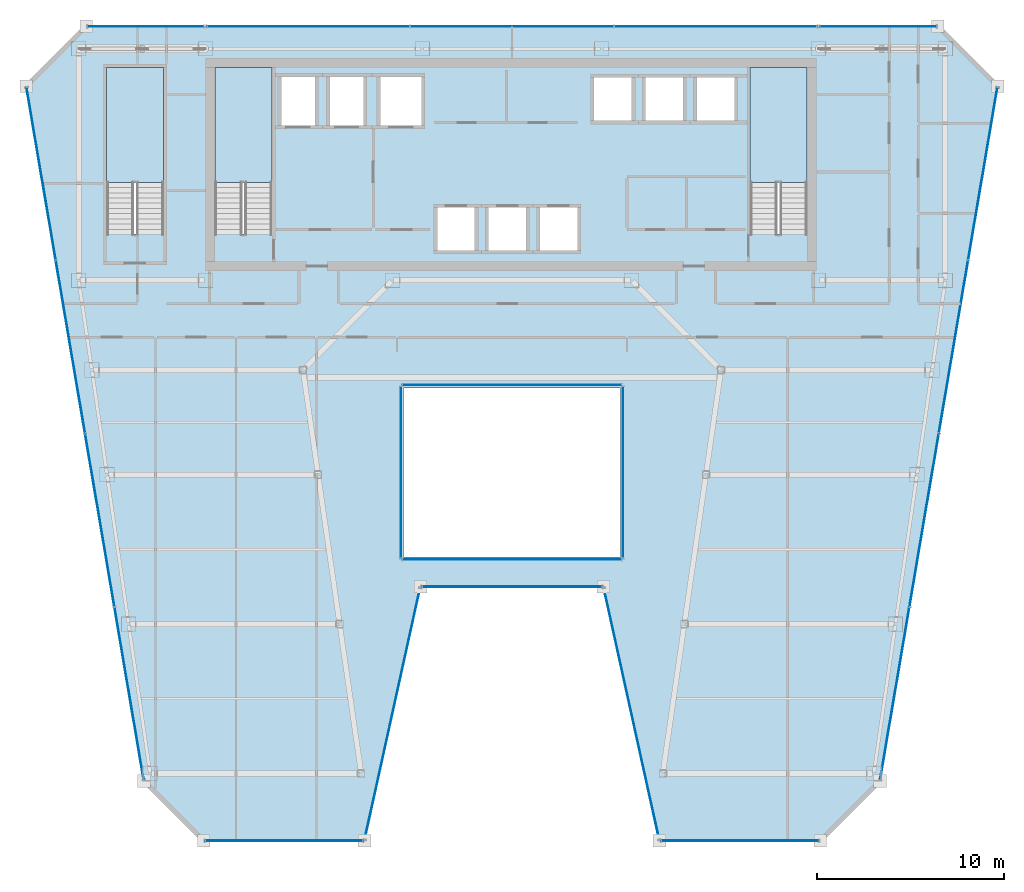
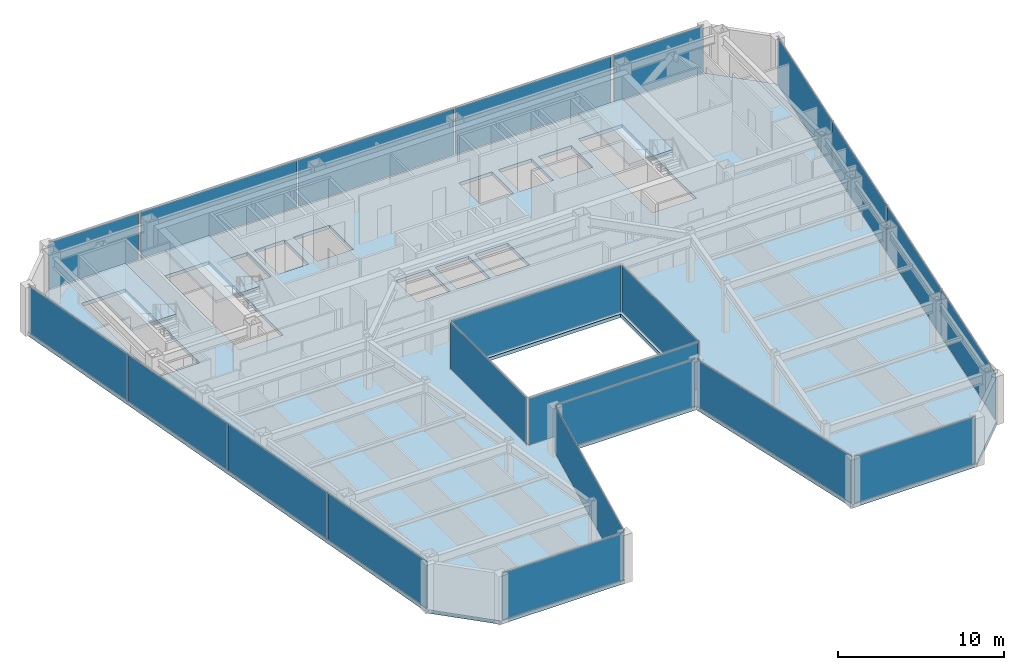
# One storey, part 28 of 35: 22 plates, 4 slabs, 17 elements without a shape of their own.
"""IFC4 building model written with IfcOpenShell, lengths in metres."""

from ifc_helpers import new_model, si_unit, direction, frame, origin, origin_2d, place, context, subcontext, project, spatial, polyline, rectangle, outline, extrude, material, layer, layer_set, type_object, element, aggregate, save


model = new_model("IFC4")

# Units and contexts
model_context = context("Model", 3, precision=1e-05, world=origin(), true_north=direction((0.0, 1.0)))
body_context = subcontext(model_context, "Body", "Model", "MODEL_VIEW")
ifc_project = project(units=[si_unit("LENGTHUNIT", "METRE"), si_unit("AREAUNIT", "SQUARE_METRE"), si_unit("VOLUMEUNIT", "CUBIC_METRE"), si_unit("PLANEANGLEUNIT", "RADIAN"), si_unit("MASSUNIT", "GRAM", prefix="KILO")], contexts=[model_context])

# Site, building, storey
site_placement = place(None, origin())
site = spatial("IfcSite", under=ifc_project, at=site_placement, CompositionType="ELEMENT")
building_placement = place(site_placement, origin())
building = spatial("IfcBuilding", under=site, at=building_placement, Name="Saevonmaru Cultural Tower", CompositionType="ELEMENT")
storey_placement = place(building_placement, frame((0.0, 0.0, 194.199951171875)))
storey = spatial("IfcBuildingStorey", under=building, at=storey_placement, Name="L44", CompositionType="ELEMENT", Elevation=194.199951171875)

# Curtain wall, plate
ifc_material_1 = material(Name="Satin Bronze Anodised Aluminium", Category="aluminium")
curtain_wall_type_1 = type_object("IfcCurtainWallType", Name="CW-ATR-GLZ", PredefinedType="NOTDEFINED", material=ifc_material_1)
curtain_wall_1_placement = place(storey_placement, origin())
curtain_wall_1 = element("IfcCurtainWall", 1, at=curtain_wall_1_placement, inside=storey, type_object=curtain_wall_type_1, Name="L44 Vertical Atrium Glazed Smoke Screen 1", PredefinedType="NOTDEFINED")
ifc_material_2 = material(Name="Fire-Rated Laminated Atrium Glass", Category="glass")
ifc_layer_1 = layer(ifc_material_2, 0.031982421875, Name="Fire-Rated Laminated Atrium Glass")
ifc_layer_set_1 = layer_set([ifc_layer_1], Name="Fire-Rated Laminated Atrium Glass")
plate_type_1 = type_object("IfcPlateType", Name="PN-GLZ-ATR-INT", PredefinedType="CURTAIN_PANEL", material=ifc_layer_set_1)
plate_1_placement = place(storey_placement, frame((30.0, 27.449951171875, 0.067138671875), z_axis=(0.0, 0.0, 1.0), x_axis=(1.0, 0.0, 0.0)))
plate_1 = element("IfcPlate", 2, at=plate_1_placement, type_object=plate_type_1, Name="CW-ATR-L44-1 panel 1.1", PredefinedType="CURTAIN_PANEL", context=body_context, shape_type="SweptSolid", body=[
    extrude(rectangle(XDim=11.7109375, YDim=0.031982421875, at=origin_2d()), origin(), (0.0, 0.0, 1.0), 3.416015625),
])
aggregate(curtain_wall_1, [plate_1])

curtain_wall_2_placement = place(storey_placement, origin())
curtain_wall_2 = element("IfcCurtainWall", 3, at=curtain_wall_2_placement, inside=storey, type_object=curtain_wall_type_1, Name="L44 Vertical Atrium Glazed Smoke Screen 2", PredefinedType="NOTDEFINED")
plate_2_placement = place(storey_placement, frame((35.949951171875, 32.1201171875, 0.067138671875), z_axis=(0.0, 0.0, 1.0), x_axis=(0.0, 1.0, 0.0)))
plate_2 = element("IfcPlate", 4, at=plate_2_placement, type_object=plate_type_1, Name="CW-ATR-L44-2 panel 1.1", PredefinedType="CURTAIN_PANEL", context=body_context, shape_type="SweptSolid", body=[
    extrude(rectangle(XDim=9.15087890625, YDim=0.031982421875, at=origin_2d()), origin(), (0.0, 0.0, 1.0), 3.416015625),
])
aggregate(curtain_wall_2, [plate_2])

curtain_wall_3_placement = place(storey_placement, origin())
curtain_wall_3 = element("IfcCurtainWall", 5, at=curtain_wall_3_placement, inside=storey, type_object=curtain_wall_type_1, Name="L44 Vertical Atrium Glazed Smoke Screen 3", PredefinedType="NOTDEFINED")
plate_3_placement = place(storey_placement, frame((30.0, 36.7900390625, 0.067138671875), z_axis=(0.0, 0.0, 1.0), x_axis=(-1.0, 0.0, 0.0)))
plate_3 = element("IfcPlate", 6, at=plate_3_placement, type_object=plate_type_1, Name="CW-ATR-L44-3 panel 1.1", PredefinedType="CURTAIN_PANEL", context=body_context, shape_type="SweptSolid", body=[
    extrude(rectangle(XDim=11.7109375, YDim=0.031982421875, at=origin_2d()), origin(), (0.0, 0.0, 1.0), 3.416015625),
])
aggregate(curtain_wall_3, [plate_3])

curtain_wall_4_placement = place(storey_placement, origin())
curtain_wall_4 = element("IfcCurtainWall", 7, at=curtain_wall_4_placement, inside=storey, type_object=curtain_wall_type_1, Name="L44 Vertical Atrium Glazed Smoke Screen 4", PredefinedType="NOTDEFINED")
plate_4_placement = place(storey_placement, frame((24.050048828125, 32.1201171875, 0.067138671875), z_axis=(0.0, 0.0, 1.0), x_axis=(0.0, -1.0, 0.0)))
plate_4 = element("IfcPlate", 8, at=plate_4_placement, type_object=plate_type_1, Name="CW-ATR-L44-4 panel 1.1", PredefinedType="CURTAIN_PANEL", context=body_context, shape_type="SweptSolid", body=[
    extrude(rectangle(XDim=9.15087890625, YDim=0.031982421875, at=origin_2d()), origin(), (0.0, 0.0, 1.0), 3.416015625),
])
aggregate(curtain_wall_4, [plate_4])

curtain_wall_type_2 = type_object("IfcCurtainWallType", Name="CW-TYP-B", PredefinedType="NOTDEFINED", material=ifc_material_1)
curtain_wall_5_placement = place(storey_placement, origin())
curtain_wall_5 = element("IfcCurtainWall", 9, at=curtain_wall_5_placement, inside=storey, type_object=curtain_wall_type_2, Name="L44 Unitised Curtain Wall E2", PredefinedType="NOTDEFINED")
ifc_material_3 = material(Name="Triple Silver Low-E Insulating Glass", Category="glass")
ifc_layer_2 = layer(ifc_material_3, 0.035888671875, Name="Triple Silver Low-E Insulating Glass")
ifc_layer_set_2 = layer_set([ifc_layer_2], Name="Triple Silver Low-E Insulating Glass")
plate_type_2 = type_object("IfcPlateType", Name="PN-GLZ-IGU", PredefinedType="CURTAIN_PANEL", material=ifc_layer_set_2)
plate_5_placement = place(storey_placement, frame((17.7978515625, 12.39990234375, 0.067138671875), z_axis=(0.0, 0.0, 1.0), x_axis=(1.0, 0.0, 0.0)))
plate_5 = element("IfcPlate", 10, at=plate_5_placement, type_object=plate_type_2, Name="CW-TW-L44-E2 panel 1.1", PredefinedType="CURTAIN_PANEL", context=body_context, shape_type="SweptSolid", body=[
    extrude(rectangle(XDim=8.410888671875, YDim=0.035888671875, at=origin_2d()), origin(), (0.0, 0.0, 1.0), 3.416015625),
])
aggregate(curtain_wall_5, [plate_5])

curtain_wall_6_placement = place(storey_placement, origin())
curtain_wall_6 = element("IfcCurtainWall", 11, at=curtain_wall_6_placement, inside=storey, type_object=curtain_wall_type_2, Name="L44 Unitised Curtain Wall E3", PredefinedType="NOTDEFINED")
plate_6_placement = place(storey_placement, frame((23.597900390625, 19.199951171875, 0.067138671875), z_axis=(0.0, 0.0, 1.0), x_axis=(0.215413319953, 0.976522965212, 0.0)))
plate_6 = element("IfcPlate", 12, at=plate_6_placement, type_object=plate_type_2, Name="CW-TW-L44-E3 panel 1.1", PredefinedType="CURTAIN_PANEL", context=body_context, shape_type="SweptSolid", body=[
    extrude(rectangle(XDim=13.738037109375, YDim=0.035888671875, at=origin_2d()), origin(), (0.0, 0.0, 1.0), 3.416015625),
])
aggregate(curtain_wall_6, [plate_6])

curtain_wall_7_placement = place(storey_placement, origin())
curtain_wall_7 = element("IfcCurtainWall", 13, at=curtain_wall_7_placement, inside=storey, type_object=curtain_wall_type_2, Name="L44 Unitised Curtain Wall E4", PredefinedType="NOTDEFINED")
plate_7_placement = place(storey_placement, frame((30.0, 26.0, 0.067138671875), z_axis=(0.0, 0.0, 1.0), x_axis=(1.0, 0.0, 0.0)))
plate_7 = element("IfcPlate", 14, at=plate_7_placement, type_object=plate_type_2, Name="CW-TW-L44-E4 panel 1.1", PredefinedType="CURTAIN_PANEL", context=body_context, shape_type="SweptSolid", body=[
    extrude(rectangle(XDim=9.615478515625, YDim=0.035888671875, at=origin_2d()), origin(), (0.0, 0.0, 1.0), 3.416015625),
])
aggregate(curtain_wall_7, [plate_7])

curtain_wall_8_placement = place(storey_placement, origin())
curtain_wall_8 = element("IfcCurtainWall", 15, at=curtain_wall_8_placement, inside=storey, type_object=curtain_wall_type_2, Name="L44 Unitised Curtain Wall E5", PredefinedType="NOTDEFINED")
plate_8_placement = place(storey_placement, frame((36.402099609375, 19.199951171875, 0.067138671875), z_axis=(0.0, 0.0, 1.0), x_axis=(0.215413319953, -0.976522965212, 0.0)))
plate_8 = element("IfcPlate", 16, at=plate_8_placement, type_object=plate_type_2, Name="CW-TW-L44-E5 panel 1.1", PredefinedType="CURTAIN_PANEL", context=body_context, shape_type="SweptSolid", body=[
    extrude(rectangle(XDim=13.738037109375, YDim=0.035888671875, at=origin_2d()), origin(), (0.0, 0.0, 1.0), 3.416015625),
])
aggregate(curtain_wall_8, [plate_8])

curtain_wall_9_placement = place(storey_placement, origin())
curtain_wall_9 = element("IfcCurtainWall", 17, at=curtain_wall_9_placement, inside=storey, type_object=curtain_wall_type_2, Name="L44 Unitised Curtain Wall E6", PredefinedType="NOTDEFINED")
plate_9_placement = place(storey_placement, frame((42.2021484375, 12.39990234375, 0.067138671875), z_axis=(0.0, 0.0, 1.0), x_axis=(1.0, 0.0, 0.0)))
plate_9 = element("IfcPlate", 18, at=plate_9_placement, type_object=plate_type_2, Name="CW-TW-L44-E6 panel 1.1", PredefinedType="CURTAIN_PANEL", context=body_context, shape_type="SweptSolid", body=[
    extrude(rectangle(XDim=8.410888671875, YDim=0.035888671875, at=origin_2d()), origin(), (0.0, 0.0, 1.0), 3.416015625),
])
aggregate(curtain_wall_9, [plate_9])

# Curtain wall, plates
curtain_wall_10_placement = place(storey_placement, origin())
curtain_wall_10 = element("IfcCurtainWall", 19, at=curtain_wall_10_placement, inside=storey, type_object=curtain_wall_type_2, Name="L44 Unitised Curtain Wall E8", PredefinedType="NOTDEFINED")
plate_10_placement = place(storey_placement, frame((50.496826171875, 20.29443359375, 0.067138671875), z_axis=(0.0, 0.0, 1.0), x_axis=(0.16692169721, 0.985970155228, 0.0)))
plate_10 = element("IfcPlate", 20, at=plate_10_placement, type_object=plate_type_2, Name="CW-TW-L44-E8 panel 1.1", PredefinedType="CURTAIN_PANEL", context=body_context, shape_type="SweptSolid", body=[
    extrude(rectangle(XDim=9.333251953125, YDim=0.035888671875, at=origin_2d()), origin(), (0.0, 0.0, 1.0), 3.416015625),
])
plate_11_placement = place(storey_placement, frame((52.06640625, 29.564697265625, 0.067138671875), z_axis=(0.0, 0.0, 1.0), x_axis=(0.16692169721, 0.985970155228, 0.0)))
plate_11 = element("IfcPlate", 21, at=plate_11_placement, type_object=plate_type_2, Name="CW-TW-L44-E8 panel 2.1", PredefinedType="CURTAIN_PANEL", context=body_context, shape_type="SweptSolid", body=[
    extrude(rectangle(XDim=9.333251953125, YDim=0.035888671875, at=origin_2d()), origin(), (0.0, 0.0, 1.0), 3.416015625),
])
plate_12_placement = place(storey_placement, frame((53.6357421875, 38.835205078125, 0.067138671875), z_axis=(0.0, 0.0, 1.0), x_axis=(0.16692169721, 0.985970155228, 0.0)))
plate_12 = element("IfcPlate", 22, at=plate_12_placement, type_object=plate_type_2, Name="CW-TW-L44-E8 panel 3.1", PredefinedType="CURTAIN_PANEL", context=body_context, shape_type="SweptSolid", body=[
    extrude(rectangle(XDim=9.333251953125, YDim=0.035888671875, at=origin_2d()), origin(), (0.0, 0.0, 1.0), 3.416015625),
])
plate_13_placement = place(storey_placement, frame((55.205322265625, 48.105712890625, 0.067138671875), z_axis=(0.0, 0.0, 1.0), x_axis=(0.16692169721, 0.985970155228, 0.0)))
plate_13 = element("IfcPlate", 23, at=plate_13_placement, type_object=plate_type_2, Name="CW-TW-L44-E8 panel 4.1", PredefinedType="CURTAIN_PANEL", context=body_context, shape_type="SweptSolid", body=[
    extrude(rectangle(XDim=9.333251953125, YDim=0.035888671875, at=origin_2d()), origin(), (0.0, 0.0, 1.0), 3.416015625),
])
aggregate(curtain_wall_10, [plate_10, plate_11, plate_12, plate_13])

curtain_wall_11_placement = place(storey_placement, origin())
curtain_wall_11 = element("IfcCurtainWall", 24, at=curtain_wall_11_placement, inside=storey, type_object=curtain_wall_type_2, Name="L44 North Spine Unitised Curtain Wall E10B", PredefinedType="NOTDEFINED")
plate_14_placement = place(storey_placement, frame((40.893310546875, 56.0, 0.067138671875), z_axis=(0.0, 0.0, 1.0), x_axis=(-1.0, 0.0, 0.0)))
plate_14 = element("IfcPlate", 25, at=plate_14_placement, type_object=plate_type_2, Name="CW-TW-L44-E10B panel 1.1", PredefinedType="CURTAIN_PANEL", context=body_context, shape_type="SweptSolid", body=[
    extrude(rectangle(XDim=10.82421875, YDim=0.035888671875, at=origin_2d()), origin(), (0.0, 0.0, 1.0), 3.416015625),
])
plate_15_placement = place(storey_placement, frame((30.0, 56.0, 0.067138671875), z_axis=(0.0, 0.0, 1.0), x_axis=(-1.0, 0.0, 0.0)))
plate_15 = element("IfcPlate", 26, at=plate_15_placement, type_object=plate_type_2, Name="CW-TW-L44-E10B panel 2.1", PredefinedType="CURTAIN_PANEL", context=body_context, shape_type="SweptSolid", body=[
    extrude(rectangle(XDim=10.82421875, YDim=0.035888671875, at=origin_2d()), origin(), (0.0, 0.0, 1.0), 3.416015625),
])
plate_16_placement = place(storey_placement, frame((19.106689453125, 56.0, 0.067138671875), z_axis=(0.0, 0.0, 1.0), x_axis=(-1.0, 0.0, 0.0)))
plate_16 = element("IfcPlate", 27, at=plate_16_placement, type_object=plate_type_2, Name="CW-TW-L44-E10B panel 3.1", PredefinedType="CURTAIN_PANEL", context=body_context, shape_type="SweptSolid", body=[
    extrude(rectangle(XDim=10.82421875, YDim=0.035888671875, at=origin_2d()), origin(), (0.0, 0.0, 1.0), 3.416015625),
])
aggregate(curtain_wall_11, [plate_14, plate_15, plate_16])

curtain_wall_12_placement = place(storey_placement, origin())
curtain_wall_12 = element("IfcCurtainWall", 28, at=curtain_wall_12_placement, inside=storey, type_object=curtain_wall_type_2, Name="L44 Unitised Curtain Wall E12", PredefinedType="NOTDEFINED")
plate_17_placement = place(storey_placement, frame((4.794677734375, 48.105712890625, 0.067138671875), z_axis=(0.0, 0.0, 1.0), x_axis=(0.16692169721, -0.985970155228, 0.0)))
plate_17 = element("IfcPlate", 29, at=plate_17_placement, type_object=plate_type_2, Name="CW-TW-L44-E12 panel 1.1", PredefinedType="CURTAIN_PANEL", context=body_context, shape_type="SweptSolid", body=[
    extrude(rectangle(XDim=9.333251953125, YDim=0.035888671875, at=origin_2d()), origin(), (0.0, 0.0, 1.0), 3.416015625),
])
plate_18_placement = place(storey_placement, frame((6.3642578125, 38.835205078125, 0.067138671875), z_axis=(0.0, 0.0, 1.0), x_axis=(0.16692169721, -0.985970155228, 0.0)))
plate_18 = element("IfcPlate", 30, at=plate_18_placement, type_object=plate_type_2, Name="CW-TW-L44-E12 panel 2.1", PredefinedType="CURTAIN_PANEL", context=body_context, shape_type="SweptSolid", body=[
    extrude(rectangle(XDim=9.333251953125, YDim=0.035888671875, at=origin_2d()), origin(), (0.0, 0.0, 1.0), 3.416015625),
])
plate_19_placement = place(storey_placement, frame((7.93359375, 29.564697265625, 0.067138671875), z_axis=(0.0, 0.0, 1.0), x_axis=(0.16692169721, -0.985970155228, 0.0)))
plate_19 = element("IfcPlate", 31, at=plate_19_placement, type_object=plate_type_2, Name="CW-TW-L44-E12 panel 3.1", PredefinedType="CURTAIN_PANEL", context=body_context, shape_type="SweptSolid", body=[
    extrude(rectangle(XDim=9.333251953125, YDim=0.035888671875, at=origin_2d()), origin(), (0.0, 0.0, 1.0), 3.416015625),
])
plate_20_placement = place(storey_placement, frame((9.503173828125, 20.29443359375, 0.067138671875), z_axis=(0.0, 0.0, 1.0), x_axis=(0.16692169721, -0.985970155228, 0.0)))
plate_20 = element("IfcPlate", 32, at=plate_20_placement, type_object=plate_type_2, Name="CW-TW-L44-E12 panel 4.1", PredefinedType="CURTAIN_PANEL", context=body_context, shape_type="SweptSolid", body=[
    extrude(rectangle(XDim=9.333251953125, YDim=0.035888671875, at=origin_2d()), origin(), (0.0, 0.0, 1.0), 3.416015625),
])
aggregate(curtain_wall_12, [plate_17, plate_18, plate_19, plate_20])

# Curtain wall, plate
curtain_wall_13_placement = place(storey_placement, origin())
curtain_wall_13 = element("IfcCurtainWall", 33, at=curtain_wall_13_placement, inside=storey, type_object=curtain_wall_type_2, Name="L44 East Braced Bay Spandrel Curtain Wall E10A", PredefinedType="NOTDEFINED")
ifc_material_4 = material(Name="Insulated Satin Bronze Aluminium Spandrel Panel", Category="aluminium")
ifc_layer_3 = layer(ifc_material_4, 0.0400390625, Name="Insulated Satin Bronze Aluminium Spandrel Panel")
ifc_layer_set_3 = layer_set([ifc_layer_3], Name="Insulated Satin Bronze Aluminium Spandrel Panel")
plate_type_3 = type_object("IfcPlateType", Name="PN-SPANDREL-BRONZE", PredefinedType="CURTAIN_PANEL", material=ifc_layer_set_3)
plate_21_placement = place(storey_placement, frame((49.60009765625, 56.0, 0.067138671875), z_axis=(0.0, 0.0, 1.0), x_axis=(-1.0, 0.0, 0.0)))
plate_21 = element("IfcPlate", 34, at=plate_21_placement, type_object=plate_type_3, Name="CW-TW-L44-E10A panel 1.1", PredefinedType="CURTAIN_PANEL", context=body_context, shape_type="SweptSolid", body=[
    extrude(rectangle(XDim=6.2109375, YDim=0.035888671875, at=origin_2d()), origin(), (0.0, 0.0, 1.0), 3.416015625),
])
aggregate(curtain_wall_13, [plate_21])

curtain_wall_14_placement = place(storey_placement, origin())
curtain_wall_14 = element("IfcCurtainWall", 35, at=curtain_wall_14_placement, inside=storey, type_object=curtain_wall_type_2, Name="L44 West Braced Bay Spandrel Curtain Wall E10C", PredefinedType="NOTDEFINED")
plate_22_placement = place(storey_placement, frame((10.39990234375, 56.0, 0.067138671875), z_axis=(0.0, 0.0, 1.0), x_axis=(-1.0, 0.0, 0.0)))
plate_22 = element("IfcPlate", 36, at=plate_22_placement, type_object=plate_type_3, Name="CW-TW-L44-E10C panel 1.1", PredefinedType="CURTAIN_PANEL", context=body_context, shape_type="SweptSolid", body=[
    extrude(rectangle(XDim=6.2109375, YDim=0.035888671875, at=origin_2d()), origin(), (0.0, 0.0, 1.0), 3.416015625),
])
aggregate(curtain_wall_14, [plate_22])

# Slab
ifc_material_5 = material(Name="Concrete C40/50", Category="concrete")
ifc_layer_4 = layer(ifc_material_5, 0.25, Name="Concrete C40/50")
ifc_layer_set_4 = layer_set([ifc_layer_4], Name="Concrete C40/50")
slab_type_1 = type_object("IfcSlabType", Name="SL-FLR-250", PredefinedType="FLOOR", material=ifc_layer_set_4)
slab_1_placement = place(storey_placement, frame((0.0, 0.0, -0.25)))
element("IfcSlab", 37, at=slab_1_placement, inside=storey, type_object=slab_type_1, Name="L44 Tower Structural Floor Slab", PredefinedType="FLOOR", context=body_context, shape_type="SweptSolid", body=[
    extrude(outline(polyline([(10.2978515625, 15.60009765625), (13.497802734375, 12.39990234375), (22.097900390625, 12.39990234375), (25.097900390625, 26.0), (34.902099609375, 26.0), (37.902099609375, 12.39990234375), (46.502197265625, 12.39990234375), (49.7021484375, 15.60009765625), (56.0, 52.800048828125), (52.800048828125, 56.0), (7.199951171875, 56.0), (4.0, 52.800048828125), (10.2978515625, 15.60009765625)]), holes=[polyline([(45.800048828125, 44.875), (42.75, 44.875), (42.75, 53.800048828125), (45.800048828125, 53.800048828125), (45.800048828125, 44.875)]), polyline([(39.75, 50.800048828125), (39.75, 53.39990234375), (42.050048828125, 53.39990234375), (42.050048828125, 50.800048828125), (39.75, 50.800048828125)]), polyline([(37.0, 50.800048828125), (37.0, 53.39990234375), (39.300048828125, 53.39990234375), (39.300048828125, 50.800048828125), (37.0, 50.800048828125)]), polyline([(34.25, 50.800048828125), (34.25, 53.39990234375), (36.550048828125, 53.39990234375), (36.550048828125, 50.800048828125), (34.25, 50.800048828125)]), polyline([(24.199951171875, 27.60009765625), (24.199951171875, 36.639892578125), (35.800048828125, 36.639892578125), (35.800048828125, 27.60009765625), (24.199951171875, 27.60009765625)]), polyline([(31.35009765625, 43.85009765625), (31.35009765625, 46.449951171875), (33.64990234375, 46.449951171875), (33.64990234375, 43.85009765625), (31.35009765625, 43.85009765625)]), polyline([(28.60009765625, 43.85009765625), (28.60009765625, 46.449951171875), (30.89990234375, 46.449951171875), (30.89990234375, 43.85009765625), (28.60009765625, 43.85009765625)]), polyline([(28.14990234375, 43.85009765625), (25.85009765625, 43.85009765625), (25.85009765625, 46.449951171875), (28.14990234375, 46.449951171875), (28.14990234375, 43.85009765625)]), polyline([(25.300048828125, 50.550048828125), (22.800048828125, 50.550048828125), (22.800048828125, 53.449951171875), (25.300048828125, 53.449951171875), (25.300048828125, 50.550048828125)]), polyline([(20.10009765625, 50.550048828125), (20.10009765625, 53.449951171875), (22.199951171875, 53.449951171875), (22.199951171875, 50.550048828125), (20.10009765625, 50.550048828125)]), polyline([(17.5, 50.550048828125), (17.5, 53.449951171875), (19.60009765625, 53.449951171875), (19.60009765625, 50.550048828125), (17.5, 50.550048828125)]), polyline([(17.14990234375, 53.800048828125), (17.14990234375, 44.875), (14.10009765625, 44.875), (14.10009765625, 53.800048828125), (17.14990234375, 53.800048828125)]), polyline([(11.35009765625, 44.875), (8.300048828125, 44.875), (8.300048828125, 53.800048828125), (11.35009765625, 53.800048828125), (11.35009765625, 44.875)])]), origin(), (0.0, 0.0, 1.0), 0.25),
])

# Stair, slab
stair_type = type_object("IfcStairType", Name="STR-DOGLEG-RC", PredefinedType="HALF_TURN_STAIR", material=ifc_material_5)
stair_1_placement = place(storey_placement, origin())
stair_1 = element("IfcStair", 38, at=stair_1_placement, inside=storey, type_object=stair_type, Name="L44 Protected exit stair ST-1", PredefinedType="HALF_TURN_STAIR")
ifc_layer_5 = layer(ifc_material_5, 0.199951171875, Name="Concrete C40/50")
ifc_layer_set_5 = layer_set([ifc_layer_5], Name="Concrete C40/50")
slab_type_2 = type_object("IfcSlabType", Name="SL-STAIR-LANDING", PredefinedType="LANDING", material=ifc_layer_set_5)
slab_2_placement = place(storey_placement, frame((0.0, 0.0, 1.699951171875)))
slab_2 = element("IfcSlab", 39, at=slab_2_placement, type_object=slab_type_2, Name="ST-1-L44 landing 1", PredefinedType="LANDING", context=body_context, shape_type="SweptSolid", body=[
    extrude(outline(polyline([(17.14990234375, 47.64990234375), (17.14990234375, 53.800048828125), (14.10009765625, 53.800048828125), (14.10009765625, 47.64990234375), (17.14990234375, 47.64990234375)])), origin(), (0.0, 0.0, 1.0), 0.2001953125),
])
aggregate(stair_1, [slab_2])

stair_2_placement = place(storey_placement, origin())
stair_2 = element("IfcStair", 40, at=stair_2_placement, inside=storey, type_object=stair_type, Name="L44 Protected exit stair ST-2", PredefinedType="HALF_TURN_STAIR")
slab_3_placement = place(storey_placement, frame((0.0, 0.0, 1.699951171875)))
slab_3 = element("IfcSlab", 41, at=slab_3_placement, type_object=slab_type_2, Name="ST-2-L44 landing 1", PredefinedType="LANDING", context=body_context, shape_type="SweptSolid", body=[
    extrude(outline(polyline([(45.800048828125, 47.64990234375), (45.800048828125, 53.800048828125), (42.75, 53.800048828125), (42.75, 47.64990234375), (45.800048828125, 47.64990234375)])), origin(), (0.0, 0.0, 1.0), 0.2001953125),
])
aggregate(stair_2, [slab_3])

stair_3_placement = place(storey_placement, origin())
stair_3 = element("IfcStair", 42, at=stair_3_placement, inside=storey, type_object=stair_type, Name="L44 Protected exit stair ST-3", PredefinedType="HALF_TURN_STAIR")
slab_4_placement = place(storey_placement, frame((0.0, 0.0, 1.699951171875)))
slab_4 = element("IfcSlab", 43, at=slab_4_placement, type_object=slab_type_2, Name="ST-3-L44 landing 1", PredefinedType="LANDING", context=body_context, shape_type="SweptSolid", body=[
    extrude(outline(polyline([(11.35009765625, 47.64990234375), (11.35009765625, 53.800048828125), (8.300048828125, 53.800048828125), (8.300048828125, 47.64990234375), (11.35009765625, 47.64990234375)])), origin(), (0.0, 0.0, 1.0), 0.2001953125),
])
aggregate(stair_3, [slab_4])

save(model, "model.ifc")
